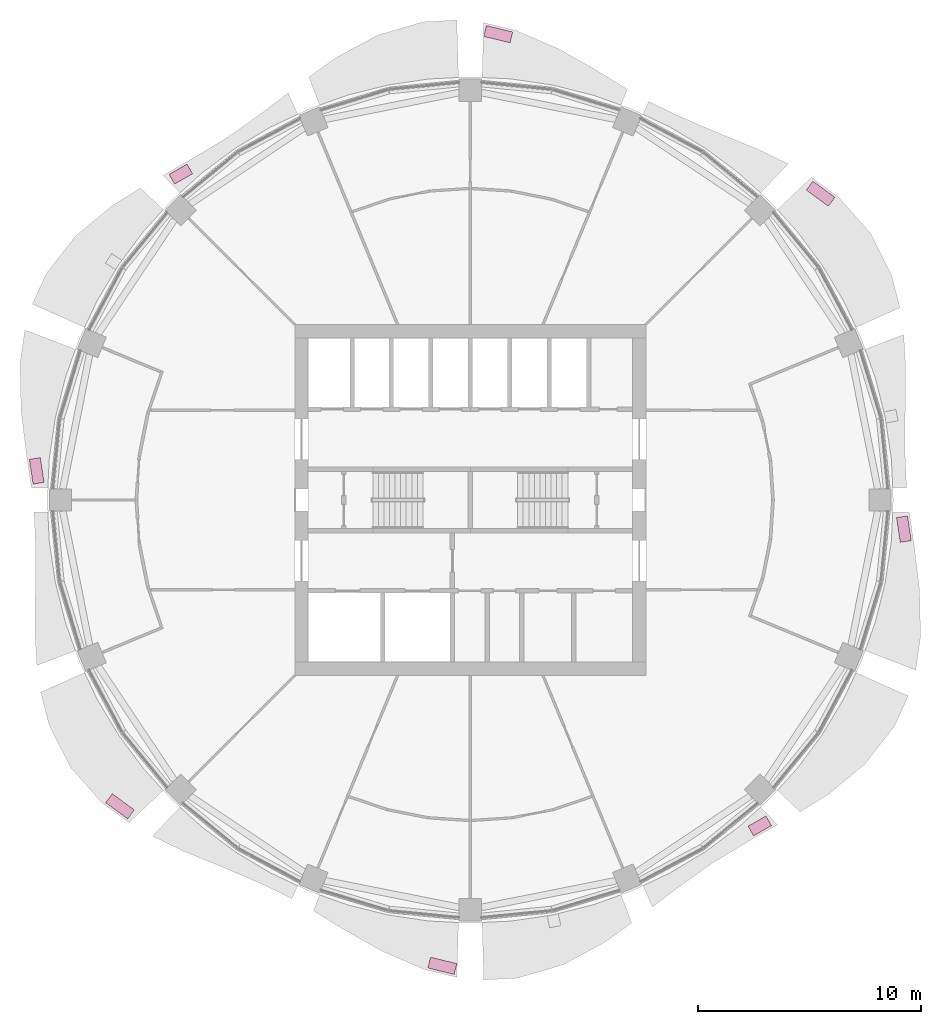
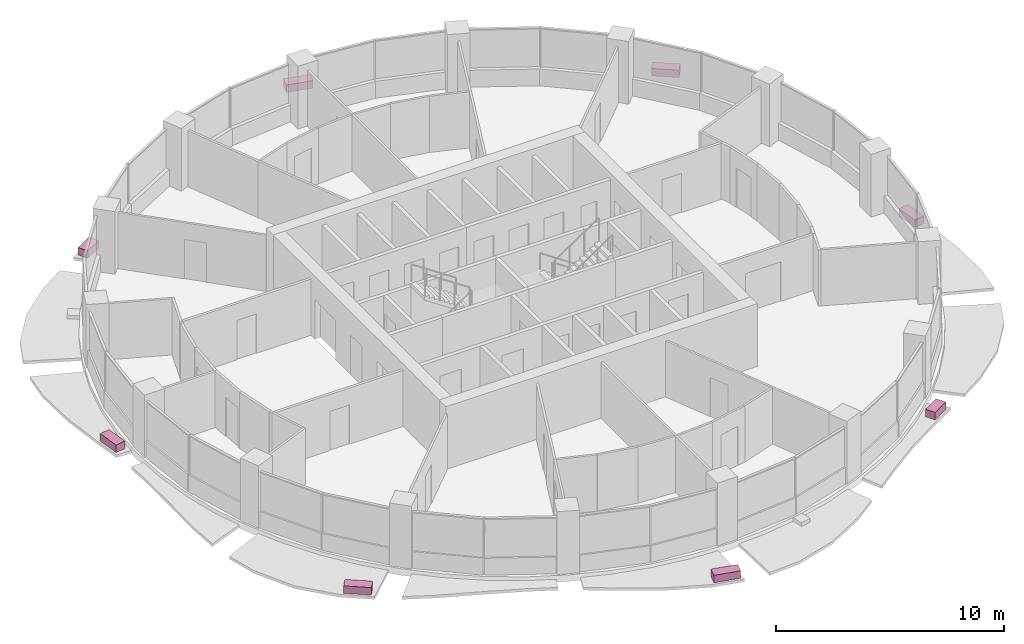
# One storey, part 15 of 15: 8 furniture elements.
"""IFC4 building model written with IfcOpenShell, lengths in metres."""

from ifc_helpers import new_model, si_unit, direction, frame, origin, origin_2d, place, context, subcontext, project, spatial, rectangle, extrude, material, type_object, element, save


model = new_model("IFC4")

# Units and contexts
model_context = context("Model", 3, precision=1e-05, world=origin(), true_north=direction((0.0, 1.0)))
body_context = subcontext(model_context, "Body", "Model", "MODEL_VIEW")
ifc_project = project(units=[si_unit("LENGTHUNIT", "METRE"), si_unit("AREAUNIT", "SQUARE_METRE"), si_unit("VOLUMEUNIT", "CUBIC_METRE"), si_unit("PLANEANGLEUNIT", "RADIAN"), si_unit("MASSUNIT", "GRAM", prefix="KILO")], contexts=[model_context])

# Site, building, storey
site_placement = place(None, origin())
site = spatial("IfcSite", under=ifc_project, at=site_placement, CompositionType="ELEMENT")
building_placement = place(site_placement, origin())
building = spatial("IfcBuilding", under=site, at=building_placement, Name="Polderwave Tower", CompositionType="ELEMENT")
storey_placement = place(building_placement, frame((0.0, 0.0, 134.35009765625)))
storey = spatial("IfcBuildingStorey", under=building, at=storey_placement, Name="L35", CompositionType="ELEMENT", Elevation=134.35009765625)

# Furniture
ifc_material = material(Name="Terracotta", Category="masonry")
furniture_type = type_object("IfcFurnitureType", Name="Terracotta planting trough", AssemblyPlace="NOTDEFINED", PredefinedType="USERDEFINED", material=ifc_material)
furniture_1_placement = place(storey_placement, frame((15.7158203125, 13.7412109375, -0.199951171875), z_axis=(0.0, 0.0, 1.0), x_axis=(-0.806523031455, 0.591202672299, 0.0)))
element("IfcFurniture", 1, at=furniture_1_placement, inside=storey, type_object=furniture_type, Name="Planting trough L35 2", ObjectType="PLANTER", PredefinedType="USERDEFINED", context=body_context, shape_type="SweptSolid", body=[
    extrude(rectangle(XDim=1.225830078125, YDim=0.5, at=origin_2d()), origin(), (0.0, 0.0, 1.0), 0.39990234375),
])
furniture_2_placement = place(storey_placement, frame((1.254150390625, 20.896728515625, -0.199951171875), z_axis=(0.0, 0.0, 1.0), x_axis=(-0.971906391138, 0.235367726897, 0.0)))
element("IfcFurniture", 2, at=furniture_2_placement, inside=storey, type_object=furniture_type, Name="Planting trough L35 4", ObjectType="PLANTER", PredefinedType="USERDEFINED", context=body_context, shape_type="SweptSolid", body=[
    extrude(rectangle(XDim=1.2177734375, YDim=0.5, at=origin_2d()), origin(), (0.0, 0.0, 1.0), 0.39990234375),
])
furniture_3_placement = place(storey_placement, frame((-12.98583984375, 14.62158203125, -0.199951171875), z_axis=(0.0, 0.0, 1.0), x_axis=(-0.868819100391, -0.495129650492, 0.0)))
element("IfcFurniture", 3, at=furniture_3_placement, inside=storey, type_object=furniture_type, Name="Planting trough L35 6", ObjectType="PLANTER", PredefinedType="USERDEFINED", context=body_context, shape_type="SweptSolid", body=[
    extrude(rectangle(XDim=0.927490234375, YDim=0.5, at=origin_2d()), origin(), (0.0, 0.0, 1.0), 0.39990234375),
])
furniture_4_placement = place(storey_placement, frame((-19.451171875, 1.3076171875, -0.199951171875), z_axis=(0.0, 0.0, 1.0), x_axis=(0.148977916856, -0.988840523183, 0.0)))
element("IfcFurniture", 4, at=furniture_4_placement, inside=storey, type_object=furniture_type, Name="Planting trough L35 8", ObjectType="PLANTER", PredefinedType="USERDEFINED", context=body_context, shape_type="SweptSolid", body=[
    extrude(rectangle(XDim=1.12548828125, YDim=0.5, at=origin_2d()), origin(), (0.0, 0.0, 1.0), 0.39990234375),
])
furniture_5_placement = place(storey_placement, frame((-15.7158203125, -13.7412109375, -0.199951171875), z_axis=(0.0, 0.0, 1.0), x_axis=(0.806523031455, -0.591202672299, 0.0)))
element("IfcFurniture", 5, at=furniture_5_placement, inside=storey, type_object=furniture_type, Name="Planting trough L35 10", ObjectType="PLANTER", PredefinedType="USERDEFINED", context=body_context, shape_type="SweptSolid", body=[
    extrude(rectangle(XDim=1.225830078125, YDim=0.5, at=origin_2d()), origin(), (0.0, 0.0, 1.0), 0.39990234375),
])
furniture_6_placement = place(storey_placement, frame((-1.254150390625, -20.896728515625, -0.199951171875), z_axis=(0.0, 0.0, 1.0), x_axis=(0.971906391138, -0.235367726897, 0.0)))
element("IfcFurniture", 6, at=furniture_6_placement, inside=storey, type_object=furniture_type, Name="Planting trough L35 12", ObjectType="PLANTER", PredefinedType="USERDEFINED", context=body_context, shape_type="SweptSolid", body=[
    extrude(rectangle(XDim=1.2177734375, YDim=0.5, at=origin_2d()), origin(), (0.0, 0.0, 1.0), 0.39990234375),
])
furniture_7_placement = place(storey_placement, frame((12.98583984375, -14.62158203125, -0.199951171875), z_axis=(0.0, 0.0, 1.0), x_axis=(0.868819100391, 0.495129650492, 0.0)))
element("IfcFurniture", 7, at=furniture_7_placement, inside=storey, type_object=furniture_type, Name="Planting trough L35 14", ObjectType="PLANTER", PredefinedType="USERDEFINED", context=body_context, shape_type="SweptSolid", body=[
    extrude(rectangle(XDim=0.927490234375, YDim=0.5, at=origin_2d()), origin(), (0.0, 0.0, 1.0), 0.39990234375),
])
furniture_8_placement = place(storey_placement, frame((19.451171875, -1.3076171875, -0.199951171875), z_axis=(0.0, 0.0, 1.0), x_axis=(-0.148977916856, 0.988840523183, 0.0)))
element("IfcFurniture", 8, at=furniture_8_placement, inside=storey, type_object=furniture_type, Name="Planting trough L35 16", ObjectType="PLANTER", PredefinedType="USERDEFINED", context=body_context, shape_type="SweptSolid", body=[
    extrude(rectangle(XDim=1.12548828125, YDim=0.5, at=origin_2d()), origin(), (0.0, 0.0, 1.0), 0.39990234375),
])

save(model, "model.ifc")
